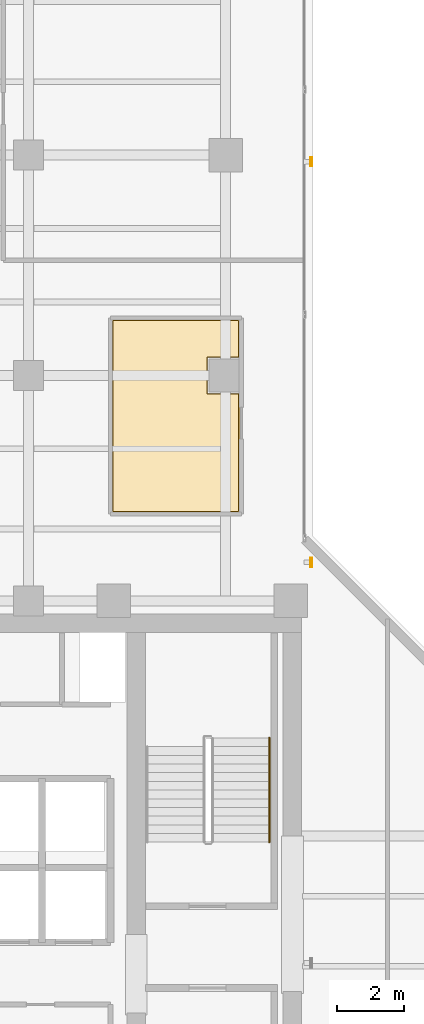
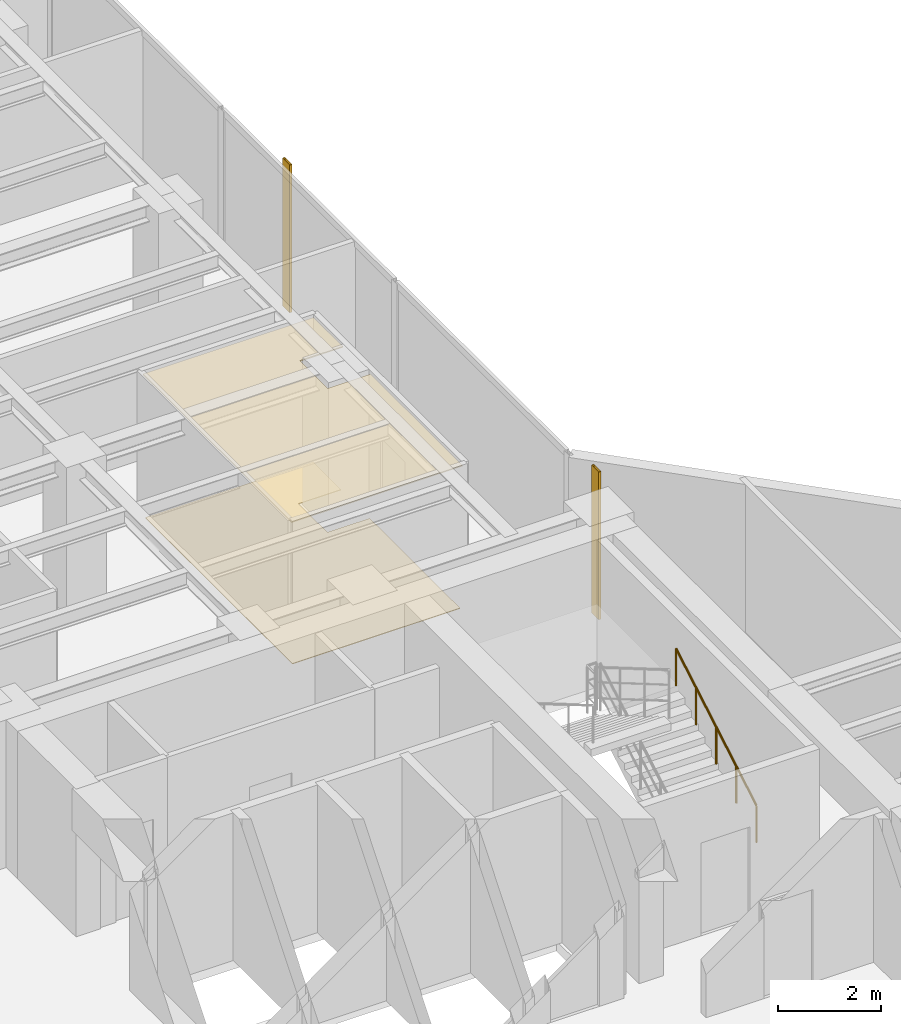
# One storey, part 22 of 22: 2 coverings, 2 shading devices, 1 railing.
"""IFC4 building model written with IfcOpenShell, lengths in metres."""

from ifc_helpers import new_model, si_unit, direction, frame, origin, origin_2d, place, context, subcontext, project, spatial, polyline, hollow_rectangle, circle, outline, extrude, material, layer, layer_set, material_profile, profile_set, type_object, element, save


model = new_model("IFC4")

# Units and contexts
model_context = context("Model", 3, precision=1e-05, world=origin(), true_north=direction((0.0, 1.0)))
body_context = subcontext(model_context, "Body", "Model", "MODEL_VIEW")
ifc_project = project(units=[si_unit("LENGTHUNIT", "METRE"), si_unit("AREAUNIT", "SQUARE_METRE"), si_unit("VOLUMEUNIT", "CUBIC_METRE"), si_unit("PLANEANGLEUNIT", "RADIAN"), si_unit("MASSUNIT", "GRAM", prefix="KILO")], contexts=[model_context])

# Site, building, storey
site_placement = place(None, origin())
site = spatial("IfcSite", under=ifc_project, at=site_placement, CompositionType="ELEMENT")
building_placement = place(site_placement, origin())
building = spatial("IfcBuilding", under=site, at=building_placement, Name="Kolvaren Waterfront Exchange", CompositionType="ELEMENT")
storey_placement = place(building_placement, frame((0.0, 0.0, 219.699951171875)))
storey = spatial("IfcBuildingStorey", under=building, at=storey_placement, Name="L56", CompositionType="ELEMENT", Elevation=219.699951171875)

# Covering
ifc_material_1 = material(Name="Mineral fibre acoustic ceiling tile")
ifc_layer_1 = layer(ifc_material_1, 0.02490234375, Name="Mineral fibre acoustic ceiling tile")
ifc_layer_set_1 = layer_set([ifc_layer_1], Name="Mineral fibre acoustic ceiling tile")
covering_type_1 = type_object("IfcCoveringType", Name="ARC-CEIL-ACOUSTIC-25", PredefinedType="CEILING", material=ifc_layer_set_1)
covering_1_placement = place(storey_placement, frame((0.0, 0.0, 3.385009765625)))
element("IfcCovering", 1, at=covering_1_placement, inside=storey, type_object=covering_type_1, Name="L56 acoustic suspended ceiling 1", PredefinedType="CEILING", context=body_context, shape_type="SweptSolid", body=[
    extrude(outline(polyline([(19.22509765625, 30.659912109375), (18.260009765625, 30.659912109375), (18.260009765625, 31.739990234375), (19.22509765625, 31.739990234375), (19.22509765625, 32.875), (15.39501953125, 32.875), (15.39501953125, 27.094970703125), (19.22509765625, 27.094970703125), (19.22509765625, 30.659912109375)])), origin(), (0.0, 0.0, 1.0), 0.025146484375),
])

# Shading devices
ifc_material_2 = material(Name="Anodised bronze aluminium 6063-T6", Category="aluminium")
ifc_material_profile = material_profile(ifc_material_2, hollow_rectangle(XDim=0.054931640625, YDim=0.280029296875, WallThickness=0.00439453125, at=origin_2d()), Name="BRZ-FIN-280x55x4.5")
ifc_profile_set = profile_set([ifc_material_profile], Name="Anodised bronze aluminium 6063-T6")
shading_device_type = type_object("IfcShadingDeviceType", Name="ARC-FIN-280", PredefinedType="USERDEFINED", material=ifc_profile_set)
for number, where, z_axis, x_axis, name in (
    (2, (21.360107421875, 25.60009765625, 0.0), (0.0, 0.0, 1.0), (1.0, 0.0, 0.0), "L56 anodised bronze solar shading fin FIN-L56-E2"),
    (3, (21.360107421875, 37.60009765625, 0.0), (0.0, 0.0, 1.0), (1.0, 0.0, 0.0), "L56 anodised bronze solar shading fin FIN-L56-E3"),
):
    element("IfcShadingDevice", number, at=place(storey_placement, frame(where, z_axis=z_axis, x_axis=x_axis)), inside=storey, type_object=shading_device_type, Name=name, ObjectType="SOLAR FIN", PredefinedType="USERDEFINED", context=body_context, shape_type="SweptSolid", body=[
        extrude(hollow_rectangle(XDim=0.054931640625, YDim=0.280029296875, WallThickness=0.00439453125, at=origin_2d()), origin(), (0.0, 0.0, 1.0), 3.5),
    ])

# Covering
ifc_material_3 = material(Name="Slip-resistant porcelain tile")
ifc_layer_2 = layer(ifc_material_3, 0.014892578125, Name="Slip-resistant porcelain tile")
ifc_layer_set_2 = layer_set([ifc_layer_2], Name="Slip-resistant porcelain tile")
covering_type_2 = type_object("IfcCoveringType", Name="ARC-FLR-PORC-15", PredefinedType="FLOORING", material=ifc_layer_set_2)
covering_2_placement = place(storey_placement, origin())
element("IfcCovering", 4, at=covering_2_placement, inside=storey, type_object=covering_type_2, Name="L56 floor finish 1", PredefinedType="FLOORING", context=body_context, shape_type="SweptSolid", body=[
    extrude(outline(polyline([(15.429931640625, 32.840087890625), (15.429931640625, 27.1298828125), (19.18994140625, 27.1298828125), (19.18994140625, 30.639892578125), (18.239990234375, 30.639892578125), (18.239990234375, 31.760009765625), (19.18994140625, 31.760009765625), (19.18994140625, 32.840087890625), (15.429931640625, 32.840087890625)])), origin(), (0.0, 0.0, 1.0), 0.01513671875),
])

# Railing
ifc_material_4 = material(Name="Stainless steel 316", Category="steel")
railing_type = type_object("IfcRailingType", Name="ARC-HANDRAIL-900", PredefinedType="HANDRAIL", material=ifc_material_4)
railing_placement = place(storey_placement, frame((20.110107421875, 17.219970703125, 0.152099609375)))
element("IfcRailing", 5, at=railing_placement, inside=storey, type_object=railing_type, Name="L56 ST2 stair handrail 1", PredefinedType="HANDRAIL", context=body_context, shape_type="SweptSolid", body=[
    extrude(circle(Radius=0.02392578125, at=origin_2d()), frame((0.0, 0.0, 0.8759765625), z_axis=(0.0, 0.86330811405, 0.504677223793), x_axis=(-1.0, 0.0, 0.0)), (0.0, 0.0, 1.0), 3.6142578125),
    extrude(circle(Radius=0.02099609375, at=origin_2d()), origin(), (0.0, 0.0, 1.0), 0.851806640625),
    extrude(circle(Radius=0.02099609375, at=origin_2d()), frame((0.0, 0.780029296875, 0.4560546875)), (0.0, 0.0, 1.0), 0.851806640625),
    extrude(circle(Radius=0.02099609375, at=origin_2d()), frame((0.0, 1.56005859375, 0.912109375)), (0.0, 0.0, 1.0), 0.851806640625),
    extrude(circle(Radius=0.02099609375, at=origin_2d()), frame((0.0, 2.340087890625, 1.367919921875)), (0.0, 0.0, 1.0), 0.851806640625),
    extrude(circle(Radius=0.02099609375, at=origin_2d()), frame((0.0, 3.1201171875, 1.823974609375)), (0.0, 0.0, 1.0), 0.851806640625),
])

save(model, "model.ifc")
